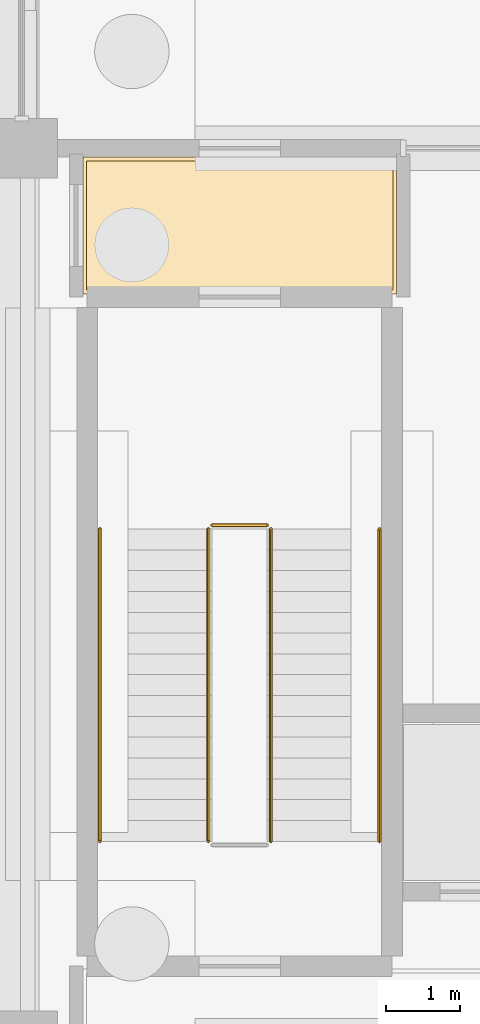
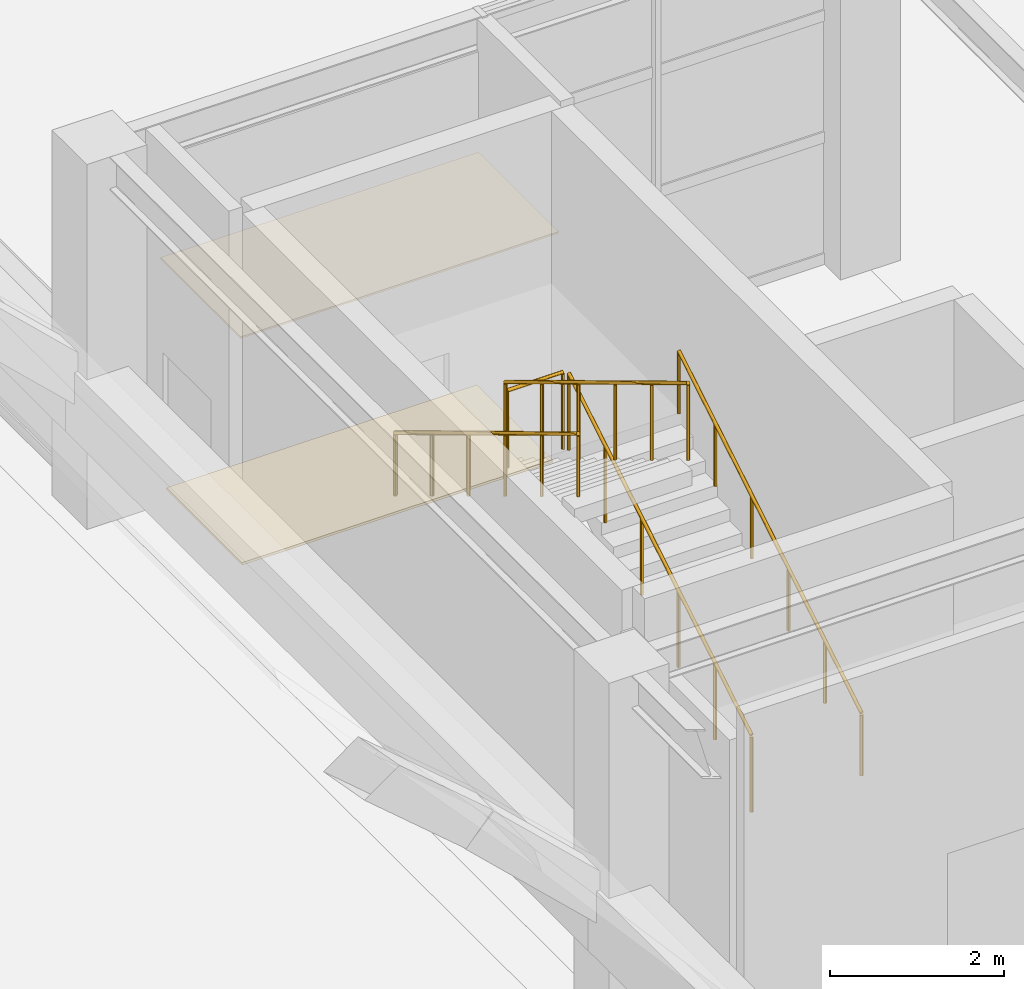
# One storey, part 120 of 129: 5 railings, 2 coverings.
"""IFC4 building model written with IfcOpenShell, lengths in metres."""

from ifc_helpers import new_model, si_unit, direction, frame, origin, origin_2d, place, context, subcontext, project, spatial, polyline, circle, outline, extrude, material, layer, layer_set, type_object, element, save


model = new_model("IFC4")

# Units and contexts
model_context = context("Model", 3, precision=1e-05, world=origin(), true_north=direction((0.0, 1.0)))
body_context = subcontext(model_context, "Body", "Model", "MODEL_VIEW")
ifc_project = project(units=[si_unit("LENGTHUNIT", "METRE"), si_unit("AREAUNIT", "SQUARE_METRE"), si_unit("VOLUMEUNIT", "CUBIC_METRE"), si_unit("PLANEANGLEUNIT", "RADIAN"), si_unit("MASSUNIT", "GRAM", prefix="KILO")], contexts=[model_context])

# Site, building, storey
site_placement = place(None, origin())
site = spatial("IfcSite", under=ifc_project, at=site_placement, CompositionType="ELEMENT")
building_placement = place(site_placement, origin())
building = spatial("IfcBuilding", under=site, at=building_placement, Name="Sitalva Quay Ferry Terminal", CompositionType="ELEMENT")
storey_placement = place(building_placement, origin())
storey = spatial("IfcBuildingStorey", under=building, at=storey_placement, Name="L01", CompositionType="ELEMENT", Elevation=0.0)

# Coverings
ifc_material_1 = material(Name="Moisture-Resistant Acoustic Gypsum Ceiling", Category="gypsum")
ifc_layer_1 = layer(ifc_material_1, 0.02490234375)
ifc_layer_set_1 = layer_set([ifc_layer_1], Name="Moisture-Resistant Acoustic Gypsum Ceiling")
covering_type_1 = type_object("IfcCoveringType", Name="Ceiling_GypsumMoisture_25", PredefinedType="CEILING", material=ifc_layer_set_1)
covering_1_placement = place(storey_placement, frame((0.0, 0.0, 3.22509765625)))
element("IfcCovering", 1, at=covering_1_placement, inside=storey, type_object=covering_type_1, Name="Protected Exit Vestibule ST-06 ceiling", PredefinedType="CEILING", context=body_context, shape_type="SweptSolid", body=[
    extrude(outline(polyline([(74.739990234375, 28.0400390625), (78.9599609375, 28.0400390625), (78.9599609375, 29.8798828125), (74.739990234375, 29.8798828125), (74.739990234375, 28.0400390625)])), origin(), (0.0, 0.0, 1.0), 0.02490234375),
])
ifc_material_2 = material(Name="Flamed Non-Slip Granite Paving", Category="masonry")
ifc_layer_2 = layer(ifc_material_2, 0.034912109375)
ifc_layer_set_2 = layer_set([ifc_layer_2], Name="Flamed Non-Slip Granite Paving")
covering_type_2 = type_object("IfcCoveringType", Name="Finish_Granite_35", PredefinedType="FLOORING", material=ifc_layer_set_2)
covering_2_placement = place(storey_placement, origin())
element("IfcCovering", 2, at=covering_2_placement, inside=storey, type_object=covering_type_2, Name="Protected Exit Vestibule ST-06 floor finish", PredefinedType="FLOORING", context=body_context, shape_type="SweptSolid", body=[
    extrude(outline(polyline([(74.7900390625, 28.090087890625), (78.909912109375, 28.090087890625), (78.909912109375, 29.830078125), (74.7900390625, 29.830078125), (74.7900390625, 28.090087890625)])), origin(), (0.0, 0.0, 1.0), 0.034912109375),
])

# Railings
ifc_material_3 = material(Name="Galvanised Steel S275JR", Category="steel")
railing_type_1 = type_object("IfcRailingType", Name="Railing_Guard_1100", PredefinedType="GUARDRAIL", material=ifc_material_3)
railing_1_placement = place(storey_placement, frame((77.27001953125, 20.679931640625, 0.168701171875)))
element("IfcRailing", 3, at=railing_1_placement, inside=storey, type_object=railing_type_1, Name="L01 ST-06 stair guard 1", PredefinedType="GUARDRAIL", context=body_context, shape_type="SweptSolid", body=[
    extrude(circle(Radius=0.02392578125, at=origin_2d()), frame((0.0, 0.0, 1.076171875), z_axis=(0.0, 0.856476492594, 0.516186030065), x_axis=(-1.0, 0.0, 0.0)), (0.0, 0.0, 1.0), 4.90380859375),
    extrude(circle(Radius=0.02099609375, at=origin_2d()), origin(), (0.0, 0.0, 1.0), 1.052001953125),
    extrude(circle(Radius=0.02099609375, at=origin_2d()), frame((0.0, 0.840087890625, 0.50634765625)), (0.0, 0.0, 1.0), 1.052001953125),
    extrude(circle(Radius=0.02099609375, at=origin_2d()), frame((0.0, 1.679931640625, 1.012451171875)), (0.0, 0.0, 1.0), 1.052001953125),
    extrude(circle(Radius=0.02099609375, at=origin_2d()), frame((0.0, 2.52001953125, 1.518798828125)), (0.0, 0.0, 1.0), 1.052001953125),
    extrude(circle(Radius=0.02099609375, at=origin_2d()), frame((0.0, 3.35986328125, 2.02490234375)), (0.0, 0.0, 1.0), 1.052001953125),
    extrude(circle(Radius=0.02099609375, at=origin_2d()), frame((0.0, 4.199951171875, 2.53125)), (0.0, 0.0, 1.0), 1.052001953125),
])
railing_2_placement = place(storey_placement, frame((77.219970703125, 24.929931640625, 2.699951171875)))
element("IfcRailing", 4, at=railing_2_placement, inside=storey, type_object=railing_type_1, Name="L01 ST-06 stair guard 2", PredefinedType="GUARDRAIL", context=body_context, shape_type="SweptSolid", body=[
    extrude(circle(Radius=0.02392578125, at=origin_2d()), frame((0.0, 0.0, 1.076171875), z_axis=(-1.0, 0.0, 0.0), x_axis=(0.0, -1.0, 0.0)), (0.0, 0.0, 1.0), 0.739990234375),
    extrude(circle(Radius=0.02099609375, at=origin_2d()), origin(), (0.0, 0.0, 1.0), 1.052001953125),
    extrude(circle(Radius=0.02099609375, at=origin_2d()), frame((-0.739990234375, 0.0, 0.0)), (0.0, 0.0, 1.0), 1.052001953125),
])
railing_3_placement = place(storey_placement, frame((76.429931640625, 24.8798828125, 2.86865234375)))
element("IfcRailing", 5, at=railing_3_placement, inside=storey, type_object=railing_type_1, Name="L01 ST-06 stair guard 3", PredefinedType="GUARDRAIL", context=body_context, shape_type="SweptSolid", body=[
    extrude(circle(Radius=0.02392578125, at=origin_2d()), frame((0.0, 0.0, 1.076171875), z_axis=(0.0, -0.856476492594, 0.516186030065), x_axis=(1.0, 0.0, 0.0)), (0.0, 0.0, 1.0), 4.90380859375),
    extrude(circle(Radius=0.02099609375, at=origin_2d()), origin(), (0.0, 0.0, 1.0), 1.052001953125),
    extrude(circle(Radius=0.02099609375, at=origin_2d()), frame((0.0, -0.840087890625, 0.50634765625)), (0.0, 0.0, 1.0), 1.052001953125),
    extrude(circle(Radius=0.02099609375, at=origin_2d()), frame((0.0, -1.679931640625, 1.012451171875)), (0.0, 0.0, 1.0), 1.052001953125),
    extrude(circle(Radius=0.02099609375, at=origin_2d()), frame((0.0, -2.52001953125, 1.518798828125)), (0.0, 0.0, 1.0), 1.052001953125),
    extrude(circle(Radius=0.02099609375, at=origin_2d()), frame((0.0, -3.35986328125, 2.02490234375)), (0.0, 0.0, 1.0), 1.052001953125),
    extrude(circle(Radius=0.02099609375, at=origin_2d()), frame((0.0, -4.199951171875, 2.53125)), (0.0, 0.0, 1.0), 1.052001953125),
])
ifc_material_4 = material(Name="Stainless Steel 316L", Category="steel")
railing_type_2 = type_object("IfcRailingType", Name="Railing_Handrail_900", PredefinedType="HANDRAIL", material=ifc_material_4)
railing_4_placement = place(storey_placement, frame((78.72998046875, 20.679931640625, 0.168701171875)))
element("IfcRailing", 6, at=railing_4_placement, inside=storey, type_object=railing_type_2, Name="L01 ST-06 stair handrail 1", PredefinedType="HANDRAIL", context=body_context, shape_type="SweptSolid", body=[
    extrude(circle(Radius=0.02392578125, at=origin_2d()), frame((0.0, 0.0, 0.8759765625), z_axis=(0.0, 0.856476492594, 0.516186030065), x_axis=(-1.0, 0.0, 0.0)), (0.0, 0.0, 1.0), 4.90380859375),
    extrude(circle(Radius=0.02099609375, at=origin_2d()), origin(), (0.0, 0.0, 1.0), 0.851806640625),
    extrude(circle(Radius=0.02099609375, at=origin_2d()), frame((0.0, 0.840087890625, 0.50634765625)), (0.0, 0.0, 1.0), 0.851806640625),
    extrude(circle(Radius=0.02099609375, at=origin_2d()), frame((0.0, 1.679931640625, 1.012451171875)), (0.0, 0.0, 1.0), 0.851806640625),
    extrude(circle(Radius=0.02099609375, at=origin_2d()), frame((0.0, 2.52001953125, 1.518798828125)), (0.0, 0.0, 1.0), 0.851806640625),
    extrude(circle(Radius=0.02099609375, at=origin_2d()), frame((0.0, 3.35986328125, 2.02490234375)), (0.0, 0.0, 1.0), 0.851806640625),
    extrude(circle(Radius=0.02099609375, at=origin_2d()), frame((0.0, 4.199951171875, 2.53125)), (0.0, 0.0, 1.0), 0.851806640625),
])
railing_5_placement = place(storey_placement, frame((74.969970703125, 24.8798828125, 2.86865234375)))
element("IfcRailing", 7, at=railing_5_placement, inside=storey, type_object=railing_type_2, Name="L01 ST-06 stair handrail 2", PredefinedType="HANDRAIL", context=body_context, shape_type="SweptSolid", body=[
    extrude(circle(Radius=0.02392578125, at=origin_2d()), frame((0.0, 0.0, 0.8759765625), z_axis=(0.0, -0.856476492594, 0.516186030065), x_axis=(1.0, 0.0, 0.0)), (0.0, 0.0, 1.0), 4.90380859375),
    extrude(circle(Radius=0.02099609375, at=origin_2d()), origin(), (0.0, 0.0, 1.0), 0.851806640625),
    extrude(circle(Radius=0.02099609375, at=origin_2d()), frame((0.0, -0.840087890625, 0.50634765625)), (0.0, 0.0, 1.0), 0.851806640625),
    extrude(circle(Radius=0.02099609375, at=origin_2d()), frame((0.0, -1.679931640625, 1.012451171875)), (0.0, 0.0, 1.0), 0.851806640625),
    extrude(circle(Radius=0.02099609375, at=origin_2d()), frame((0.0, -2.52001953125, 1.518798828125)), (0.0, 0.0, 1.0), 0.851806640625),
    extrude(circle(Radius=0.02099609375, at=origin_2d()), frame((0.0, -3.35986328125, 2.02490234375)), (0.0, 0.0, 1.0), 0.851806640625),
    extrude(circle(Radius=0.02099609375, at=origin_2d()), frame((0.0, -4.199951171875, 2.53125)), (0.0, 0.0, 1.0), 0.851806640625),
])

save(model, "model.ifc")
